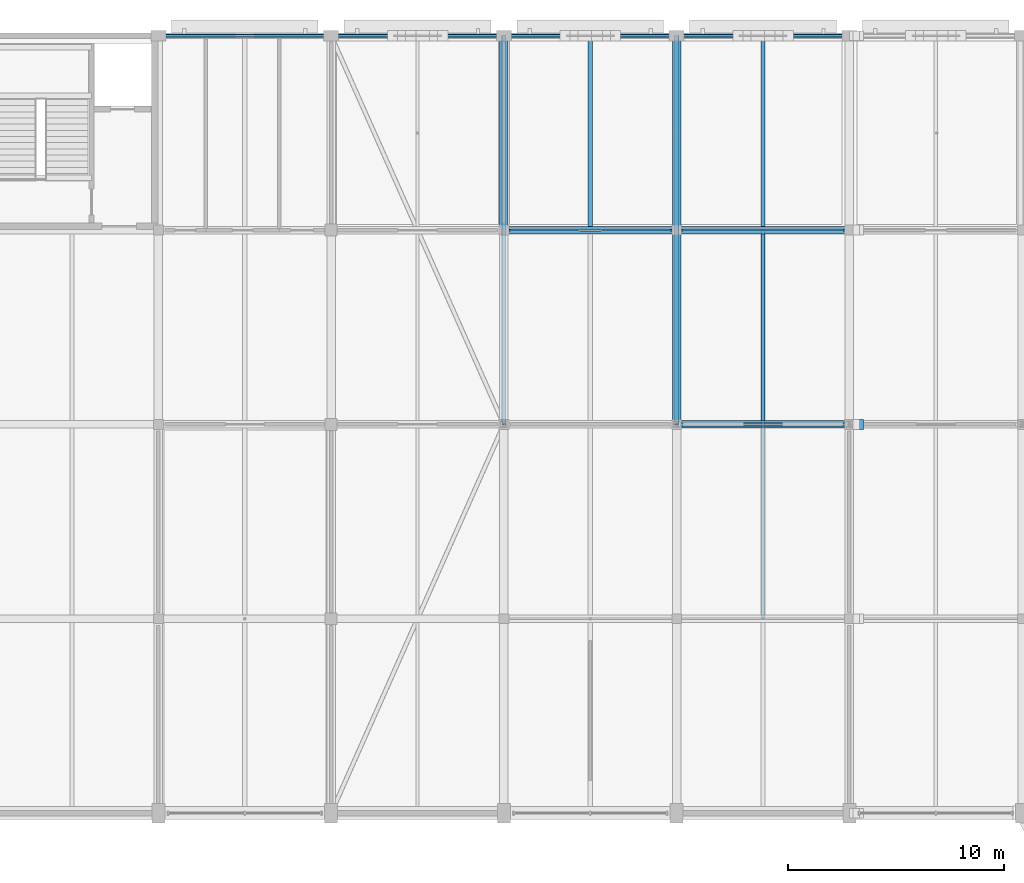
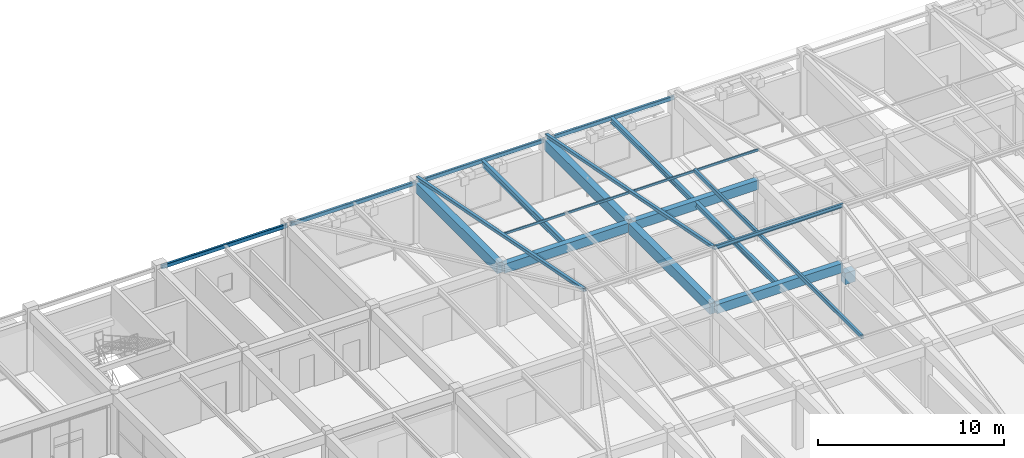
# One storey, part 73 of 126: 15 beams, 5 members.
"""IFC4 building model written with IfcOpenShell, lengths in metres."""

import ifcopenshell
import ifcopenshell.guid

model = None  # the IFC model being written
_history = None  # IfcOwnerHistory: only IFC2X3 demands one
_inside = {}  # id of a spatial element -> (the spatial element, [elements in it])
_under = {}  # id of a project, library or spatial element -> (it, [spatial elements below it])
_declared = {}  # id of a project -> (the project, [libraries it declares])
_typed = {}  # id of a type object -> (the type object, [elements of that type])
_made_of = {}  # id of a material, layer set ... -> (it, [elements and type objects made of it])


def new_model(schema):
    """Start an empty IFC model of exactly this schema.

    Asked for "IFC4X3", IfcOpenShell would pick the latest addendum, in which some entities
    have other attributes; the version numbers below select the first issue.
    IFC2X3 requires an IfcOwnerHistory on every rooted entity: one is made here for all.
    """
    global model, _history
    if schema == "IFC4X3":
        model = ifcopenshell.file(schema_version=(4, 3, 0, 0))
    else:
        model = ifcopenshell.file(schema=schema)
    _inside.clear()
    _under.clear()
    _declared.clear()
    _typed.clear()
    _made_of.clear()
    _history = None
    if model.schema == "IFC2X3":
        org = make("IfcOrganization", Name="unknown")
        user = make(
            "IfcPersonAndOrganization",
            ThePerson=make("IfcPerson", FamilyName="unknown"),
            TheOrganization=org,
        )
        app = make(
            "IfcApplication",
            ApplicationDeveloper=org,
            Version="unknown",
            ApplicationFullName="unknown",
            ApplicationIdentifier="unknown",
        )
        _history = make(
            "IfcOwnerHistory",
            OwningUser=user,
            OwningApplication=app,
            ChangeAction="ADDED",
            CreationDate=0,
        )
    return model


def make(cls, **values):
    """One entity of the class cls with the attributes given. An attribute that is None is left unset."""
    return model.create_entity(
        cls, **{name: value for name, value in values.items() if value is not None}
    )


def rooted(cls, **values):
    """An entity with a GlobalId (a new one), such as an element, a storey or a relation."""
    return make(cls, GlobalId=ifcopenshell.guid.new(), OwnerHistory=_history, **values)


def si_unit(unit_type, name, prefix=None):
    """IfcSIUnit, for example si_unit("LENGTHUNIT", "METRE", prefix="MILLI")."""
    return make("IfcSIUnit", UnitType=unit_type, Prefix=prefix, Name=name)


def assignment(units):
    """IfcUnitAssignment: the units of a project."""
    return None if units is None else make("IfcUnitAssignment", Units=units)


def point(xyz):
    """IfcCartesianPoint."""
    return None if xyz is None else make("IfcCartesianPoint", Coordinates=xyz)


def direction(xyz):
    """IfcDirection."""
    return None if xyz is None else make("IfcDirection", DirectionRatios=xyz)


def frame(location, z_axis=None, x_axis=None):
    """IfcAxis2Placement3D, a coordinate frame: its origin and axes. An axis left out is left unset."""
    return make(
        "IfcAxis2Placement3D",
        Location=point(location),
        Axis=direction(z_axis),
        RefDirection=direction(x_axis),
    )


def frame_2d(location, x_axis=None):
    """IfcAxis2Placement2D, a coordinate frame in the plane: its origin and x axis."""
    return make(
        "IfcAxis2Placement2D", Location=point(location), RefDirection=direction(x_axis)
    )


def origin():
    """The frame at (0, 0, 0) with its axes left unset."""
    return frame((0.0, 0.0, 0.0))


def origin_2d():
    """The frame at (0, 0) in the plane with its x axis left unset."""
    return frame_2d((0.0, 0.0))


def place(relative_to, where):
    """IfcLocalPlacement: puts the frame where relative to a parent placement (None: the world)."""
    return make(
        "IfcLocalPlacement", PlacementRelTo=relative_to, RelativePlacement=where
    )


def context(
    kind, dimensions, precision=None, world=None, true_north=None, identifier=None
):
    """IfcGeometricRepresentationContext, for example the 3D "Model" context."""
    return make(
        "IfcGeometricRepresentationContext",
        ContextIdentifier=identifier,
        ContextType=kind,
        CoordinateSpaceDimension=dimensions,
        Precision=precision,
        WorldCoordinateSystem=world,
        TrueNorth=true_north,
    )


def subcontext(parent, identifier, kind, view, scale=None):
    """IfcGeometricRepresentationSubContext, for example "Body" below "Model"."""
    return make(
        "IfcGeometricRepresentationSubContext",
        ContextIdentifier=identifier,
        ContextType=kind,
        ParentContext=parent,
        TargetScale=scale,
        TargetView=view,
    )


def project(units=None, contexts=None):
    """IfcProject with its units and contexts."""
    return rooted(
        "IfcProject",
        Name="project",
        RepresentationContexts=contexts,
        UnitsInContext=assignment(units),
    )


def spatial(cls, under=None, at=None, **own):
    """A site, building, storey or space (cls), placed at a placement, below another one or the project."""
    s = rooted(cls, ObjectPlacement=at, **own)
    if under is not None:
        _under.setdefault(under.id(), (under, []))[1].append(s)
    return s


def profile(cls, at=None, kind="AREA", **sizes):
    """A parametric profile (cls). Its sizes go by their IFC names, for example OverallWidth=200.0."""
    return make(cls, ProfileType=kind, Position=at, **sizes)


def rectangle(**sizes):
    """IfcRectangleProfileDef."""
    return profile("IfcRectangleProfileDef", **sizes)


def hollow_rectangle(**sizes):
    """IfcRectangleHollowProfileDef."""
    return profile("IfcRectangleHollowProfileDef", **sizes)


def i_section(**sizes):
    """IfcIShapeProfileDef."""
    return profile("IfcIShapeProfileDef", **sizes)


def extrude(swept, where, along, depth):
    """IfcExtrudedAreaSolid: the profile swept, set in the frame where, extruded along a direction by depth."""
    return make(
        "IfcExtrudedAreaSolid",
        SweptArea=swept,
        Position=where,
        ExtrudedDirection=direction(along),
        Depth=depth,
    )


def shape(context_of_items, identifier, shape_type, items):
    """IfcShapeRepresentation: the items that make up one representation, for example the "Body"."""
    return make(
        "IfcShapeRepresentation",
        ContextOfItems=context_of_items,
        RepresentationIdentifier=identifier,
        RepresentationType=shape_type,
        Items=items,
    )


def material(Name=None, Category=None):
    """IfcMaterial."""
    return make("IfcMaterial", Name=Name, Category=Category)


def material_profile(
    of_material, cross_section, Name=None, Category=None, Priority=None
):
    """IfcMaterialProfile: a cross section and its material."""
    return make(
        "IfcMaterialProfile",
        Name=Name,
        Material=of_material,
        Profile=cross_section,
        Priority=Priority,
        Category=Category,
    )


def profile_set(profiles, Name=None, composite=None):
    """IfcMaterialProfileSet."""
    return make(
        "IfcMaterialProfileSet",
        Name=Name,
        MaterialProfiles=profiles,
        CompositeProfile=composite,
    )


def made_of(thing, what):
    """Note that an element or type object is made of a material, layer set ...; save() writes the relation."""
    if what is not None:
        _made_of.setdefault(what.id(), (what, []))[1].append(thing)
    return thing


def type_object(cls, material=None, **own):
    """A type object (cls), such as IfcWallType, which elements share."""
    return made_of(rooted(cls, **own), material)


def element(
    cls,
    number,
    at=None,
    inside=None,
    cuts=None,
    type_object=None,
    material=None,
    context=None,
    identifier="Body",
    shape_type=None,
    held_by="IfcProductDefinitionShape",
    body=None,
    shapes=None,
    **own,
):
    """One element of the class cls, such as IfcWall. Its Tag is "e" and its number.

    at: its placement. inside: the storey or other place that contains it. cuts: it is an
    opening in that element (IfcRelVoidsElement). A single representation is given by context,
    identifier, shape_type and body (its items); several are given by shapes. held_by: the class
    of the entity that holds the representations. save() writes the other relations.
    """
    e = rooted(cls, Tag="e%d" % number, ObjectPlacement=at, **own)
    if body is not None:
        shapes = [shape(context, identifier, shape_type, body)]
    if shapes is not None:
        e.Representation = make(held_by, Representations=shapes)
    if inside is not None:
        _inside.setdefault(inside.id(), (inside, []))[1].append(e)
    if cuts is not None:
        rooted(
            "IfcRelVoidsElement", RelatingBuildingElement=cuts, RelatedOpeningElement=e
        )
    if type_object is not None:
        _typed.setdefault(type_object.id(), (type_object, []))[1].append(e)
    return made_of(e, material)


def aggregate(whole, parts):
    """IfcRelAggregates: a whole, such as a stair, and the parts it consists of."""
    return rooted("IfcRelAggregates", RelatingObject=whole, RelatedObjects=parts)


def save(model, path):
    """Write the relations noted so far, then the file.

    IfcRelAggregates (storeys below a building ...), IfcRelContainedInSpatialStructure (elements
    in a storey), IfcRelDefinesByType, IfcRelAssociatesMaterial and IfcRelDeclares: one each for
    every whole, place, type object, material and project.
    """
    for whole, parts in _under.values():
        aggregate(whole, parts)
    for where, things in _inside.values():
        rooted(
            "IfcRelContainedInSpatialStructure",
            RelatedElements=things,
            RelatingStructure=where,
        )
    for kind, things in _typed.values():
        rooted("IfcRelDefinesByType", RelatedObjects=things, RelatingType=kind)
    for what, things in _made_of.values():
        rooted("IfcRelAssociatesMaterial", RelatedObjects=things, RelatingMaterial=what)
    for by, libraries in _declared.values():
        rooted("IfcRelDeclares", RelatingContext=by, RelatedDefinitions=libraries)
    model.write(path)


model = new_model("IFC4")

# Units and contexts
model_context = context("Model", 3, precision=1e-05, world=origin(), true_north=direction((0.0, 1.0)))
body_context = subcontext(model_context, "Body", "Model", "MODEL_VIEW")
ifc_project = project(units=[si_unit("LENGTHUNIT", "METRE"), si_unit("AREAUNIT", "SQUARE_METRE"), si_unit("VOLUMEUNIT", "CUBIC_METRE"), si_unit("PLANEANGLEUNIT", "RADIAN"), si_unit("MASSUNIT", "GRAM", prefix="KILO")], contexts=[model_context])

# Site, building, storey
site_placement = place(None, origin())
site = spatial("IfcSite", under=ifc_project, at=site_placement, CompositionType="ELEMENT")
building_placement = place(site_placement, origin())
building = spatial("IfcBuilding", under=site, at=building_placement, Name="Varnabhumi Central Station", CompositionType="ELEMENT")
storey_placement = place(building_placement, frame((0.0, 0.0, 16.199951171875)))
storey = spatial("IfcBuildingStorey", under=building, at=storey_placement, Name="L03", CompositionType="ELEMENT", Elevation=16.199951171875)

# Beams
ifc_material_1 = material(Name="Structural steel E350", Category="steel")
ifc_material_profile_1 = material_profile(ifc_material_1, hollow_rectangle(XDim=0.14990234375, YDim=0.25, WallThickness=0.010009765625, InnerFilletRadius=0.010009765625, OuterFilletRadius=0.02001953125, at=origin_2d()), Name="Structural steel E350", Category="steel")
ifc_profile_set_1 = profile_set([ifc_material_profile_1], Name="Structural steel E350")
beam_type_1 = type_object("IfcBeamType", Name="BM-EDGE-RHS250", PredefinedType="SPANDREL", material=ifc_profile_set_1)
for number, where, z_axis, x_axis, name in (
    (1, (88.10009765625, 116.0, 3.824951171875), (1.0, 0.0, 0.0), (0.0, 1.0, 0.0), "Beam L03-P:12-13"),
    (2, (96.10009765625, 116.0, 3.824951171875), (1.0, 0.0, 0.0), (0.0, 1.0, 0.0), "Beam L03-P:13-14"),
    (3, (104.10009765625, 116.0, 3.824951171875), (1.0, 0.0, 0.0), (0.0, 1.0, 0.0), "Beam L03-P:14-15"),
    (4, (112.10009765625, 116.0, 3.824951171875), (1.0, 0.0, 0.0), (0.0, 1.0, 0.0), "Beam L03-P:15-16"),
):
    element("IfcBeam", number, at=place(storey_placement, frame(where, z_axis=z_axis, x_axis=x_axis)), inside=storey, type_object=beam_type_1, Name=name, PredefinedType="SPANDREL", context=body_context, shape_type="SweptSolid", body=[
        extrude(hollow_rectangle(XDim=0.14990234375, YDim=0.25, WallThickness=0.010009765625, InnerFilletRadius=0.010009765625, OuterFilletRadius=0.02001953125, at=origin_2d()), origin(), (0.0, 0.0, 1.0), 7.7998046875),
    ])
ifc_material_profile_2 = material_profile(ifc_material_1, i_section(OverallWidth=0.125, OverallDepth=0.25, WebThickness=0.0068359375, FlangeThickness=0.012451171875, FilletRadius=0.012939453125, at=origin_2d()), Name="Structural steel E350", Category="steel")
ifc_profile_set_2 = profile_set([ifc_material_profile_2], Name="Structural steel E350")
beam_type_2 = type_object("IfcBeamType", Name="BM-PUR-ISMB250", PredefinedType="JOIST", material=ifc_profile_set_2)
beam_1_placement = place(storey_placement, frame((112.0, 98.0, 7.630126953125), z_axis=(1.0, 0.0, 0.0), x_axis=(0.0, 1.0, 0.0)))
element("IfcBeam", 5, at=beam_1_placement, inside=storey, type_object=beam_type_2, Name="Mission Roof Ridge Beam NW4-3", PredefinedType="JOIST", context=body_context, shape_type="SweptSolid", body=[
    extrude(i_section(OverallWidth=0.125, OverallDepth=0.25, WebThickness=0.0068359375, FlangeThickness=0.012451171875, FilletRadius=0.012939453125, at=origin_2d()), origin(), (0.0, 0.0, 1.0), 8.0),
])
ifc_material_2 = material(Name="Concrete M40", Category="concrete")
ifc_material_profile_3 = material_profile(ifc_material_2, rectangle(XDim=0.35009765625, YDim=0.60009765625, at=origin_2d()), Name="Concrete M40", Category="concrete")
ifc_profile_set_3 = profile_set([ifc_material_profile_3], Name="Concrete M40")
beam_type_3 = type_object("IfcBeamType", Name="BM-RC-350x600", PredefinedType="BEAM", material=ifc_profile_set_3)
for number, where, z_axis, x_axis, name in (
    (6, (104.10009765625, 107.0, 3.650146484375), (1.0, 0.0, 0.0), (0.0, 1.0, 0.0), "Beam L03-N:14-15"),
    (7, (112.10009765625, 98.0, 3.650146484375), (1.0, 0.0, 0.0), (0.0, 1.0, 0.0), "Beam L03-M:15-16"),
    (8, (112.10009765625, 107.0, 3.650146484375), (1.0, 0.0, 0.0), (0.0, 1.0, 0.0), "Beam L03-N:15-16"),
):
    element("IfcBeam", number, at=place(storey_placement, frame(where, z_axis=z_axis, x_axis=x_axis)), inside=storey, type_object=beam_type_3, Name=name, PredefinedType="BEAM", context=body_context, shape_type="SweptSolid", body=[
        extrude(rectangle(XDim=0.35009765625, YDim=0.60009765625, at=origin_2d()), origin(), (0.0, 0.0, 1.0), 7.7998046875),
    ])
ifc_material_profile_4 = material_profile(ifc_material_2, rectangle(XDim=0.449951171875, YDim=0.75, at=origin_2d()), Name="Concrete M40", Category="concrete")
ifc_profile_set_4 = profile_set([ifc_material_profile_4], Name="Concrete M40")
beam_type_4 = type_object("IfcBeamType", Name="BM-RC-450x750", PredefinedType="BEAM", material=ifc_profile_set_4)
beam_2_placement = place(storey_placement, frame((120.0, 98.0, 2.89501953125), z_axis=(1.0, 0.0, 0.0), x_axis=(0.0, 1.0, 0.0)))
element("IfcBeam", 9, at=beam_2_placement, inside=storey, type_object=beam_type_4, Name="Movement Joint 650mm Corbel Seat L03-M-16", PredefinedType="BEAM", context=body_context, shape_type="SweptSolid", body=[
    extrude(rectangle(XDim=0.449951171875, YDim=0.75, at=origin_2d()), origin(), (0.0, 0.0, 1.0), 0.64990234375),
])
ifc_material_profile_5 = material_profile(ifc_material_2, rectangle(XDim=0.39990234375, YDim=0.699951171875, at=origin_2d()), Name="Concrete M40", Category="concrete")
ifc_profile_set_5 = profile_set([ifc_material_profile_5], Name="Concrete M40")
beam_type_5 = type_object("IfcBeamType", Name="BM-RC-700x400", PredefinedType="BEAM", material=ifc_profile_set_5)
for number, where, z_axis, x_axis, name in (
    (10, (112.0, 98.10009765625, 3.60009765625), (0.0, 1.0, 0.0), (-1.0, 0.0, 0.0), "Beam L03-15:M-N"),
    (11, (104.0, 107.10009765625, 3.60009765625), (0.0, 1.0, 0.0), (-1.0, 0.0, 0.0), "Beam L03-14:N-P"),
    (12, (112.0, 107.10009765625, 3.60009765625), (0.0, 1.0, 0.0), (-1.0, 0.0, 0.0), "Beam L03-15:N-P"),
):
    element("IfcBeam", number, at=place(storey_placement, frame(where, z_axis=z_axis, x_axis=x_axis)), inside=storey, type_object=beam_type_5, Name=name, PredefinedType="BEAM", context=body_context, shape_type="SweptSolid", body=[
        extrude(rectangle(XDim=0.39990234375, YDim=0.699951171875, at=origin_2d()), origin(), (0.0, 0.0, 1.0), 8.7998046875),
    ])
ifc_material_profile_6 = material_profile(ifc_material_1, i_section(OverallWidth=0.199951171875, OverallDepth=0.39990234375, WebThickness=0.008544921875, FlangeThickness=0.012939453125, FilletRadius=0.012939453125, at=origin_2d()), Name="Structural steel E350", Category="steel")
ifc_profile_set_6 = profile_set([ifc_material_profile_6], Name="Structural steel E350")
beam_type_6 = type_object("IfcBeamType", Name="BM-SEC-ISWB400", PredefinedType="JOIST", material=ifc_profile_set_6)
beam_3_placement = place(storey_placement, frame((108.0, 107.175048828125, 3.75), z_axis=(0.0, 1.0, 0.0), x_axis=(-1.0, 0.0, 0.0)))
element("IfcBeam", 13, at=beam_3_placement, inside=storey, type_object=beam_type_6, Name="Secondary Joist L03-14/15:N-P", PredefinedType="JOIST", context=body_context, shape_type="SweptSolid", body=[
    extrude(i_section(OverallWidth=0.199951171875, OverallDepth=0.39990234375, WebThickness=0.008544921875, FlangeThickness=0.012939453125, FilletRadius=0.012939453125, at=origin_2d()), origin(), (0.0, 0.0, 1.0), 8.75),
])
ifc_material_profile_7 = material_profile(ifc_material_1, i_section(OverallWidth=0.199951171875, OverallDepth=0.35009765625, WebThickness=0.008056640625, FlangeThickness=0.011474609375, FilletRadius=0.011962890625, at=origin_2d()), Name="Structural steel E350", Category="steel")
ifc_profile_set_7 = profile_set([ifc_material_profile_7], Name="Structural steel E350")
beam_type_7 = type_object("IfcBeamType", Name="BM-STL-ISWB350", PredefinedType="JOIST", material=ifc_profile_set_7)
beam_4_placement = place(storey_placement, frame((116.0, 98.175048828125, 3.775146484375), z_axis=(0.0, 1.0, 0.0), x_axis=(-1.0, 0.0, 0.0)))
element("IfcBeam", 14, at=beam_4_placement, inside=storey, type_object=beam_type_7, Name="Secondary Joist L03-15/16:M-N", PredefinedType="JOIST", context=body_context, shape_type="SweptSolid", body=[
    extrude(i_section(OverallWidth=0.199951171875, OverallDepth=0.35009765625, WebThickness=0.008056640625, FlangeThickness=0.011474609375, FilletRadius=0.011962890625, at=origin_2d()), origin(), (0.0, 0.0, 1.0), 8.64990234375),
])
beam_5_placement = place(storey_placement, frame((116.0, 107.175048828125, 3.775146484375), z_axis=(0.0, 1.0, 0.0), x_axis=(-1.0, 0.0, 0.0)))
element("IfcBeam", 15, at=beam_5_placement, inside=storey, type_object=beam_type_7, Name="Secondary Joist L03-15/16:N-P", PredefinedType="JOIST", context=body_context, shape_type="SweptSolid", body=[
    extrude(i_section(OverallWidth=0.199951171875, OverallDepth=0.35009765625, WebThickness=0.008056640625, FlangeThickness=0.011474609375, FilletRadius=0.011962890625, at=origin_2d()), origin(), (0.0, 0.0, 1.0), 8.75),
])

# Members
ifc_material_profile_8 = material_profile(ifc_material_1, hollow_rectangle(XDim=0.14990234375, YDim=0.25, WallThickness=0.010009765625, InnerFilletRadius=0.010009765625, OuterFilletRadius=0.02001953125, at=origin_2d()), Name="Structural steel E350", Category="steel")
ifc_profile_set_8 = profile_set([ifc_material_profile_8], Name="Structural steel E350")
member_type_1 = type_object("IfcMemberType", Name="MBR-COLLAR-RHS", PredefinedType="COLLAR", material=ifc_profile_set_8)
member_placement = place(storey_placement, frame((116.0, 89.0, 5.844970703125), z_axis=(0.0, 1.0, 0.0), x_axis=(-1.0, 0.0, 0.0)))
element("IfcMember", 16, at=member_placement, inside=storey, type_object=member_type_1, Name="Mission Roof Collar Tie NW4-3", PredefinedType="COLLAR", context=body_context, shape_type="SweptSolid", body=[
    extrude(hollow_rectangle(XDim=0.14990234375, YDim=0.25, WallThickness=0.010009765625, InnerFilletRadius=0.010009765625, OuterFilletRadius=0.02001953125, at=origin_2d()), origin(), (0.0, 0.0, 1.0), 18.0),
])
ifc_material_profile_9 = material_profile(ifc_material_1, hollow_rectangle(XDim=0.074951171875, YDim=0.14990234375, WallThickness=0.006103515625, InnerFilletRadius=0.006103515625, OuterFilletRadius=0.011962890625, at=origin_2d()), Name="Structural steel E350", Category="steel")
ifc_profile_set_9 = profile_set([ifc_material_profile_9], Name="Structural steel E350")
member_type_2 = type_object("IfcMemberType", Name="MBR-PURL-RHS150", PredefinedType="PURLIN", material=ifc_profile_set_9)
for number, where, z_axis, x_axis, name in (
    (17, (104.0, 107.0, 5.824951171875), (1.0, 0.0, 0.0), (0.0, 1.0, 0.0), "Mission Roof Purlin NW4-2-N"),
    (18, (112.0, 107.0, 5.824951171875), (1.0, 0.0, 0.0), (0.0, 1.0, 0.0), "Mission Roof Purlin NW4-3-N"),
):
    element("IfcMember", number, at=place(storey_placement, frame(where, z_axis=z_axis, x_axis=x_axis)), inside=storey, type_object=member_type_2, Name=name, PredefinedType="PURLIN", context=body_context, shape_type="SweptSolid", body=[
        extrude(hollow_rectangle(XDim=0.074951171875, YDim=0.14990234375, WallThickness=0.006103515625, InnerFilletRadius=0.006103515625, OuterFilletRadius=0.011962890625, at=origin_2d()), origin(), (0.0, 0.0, 1.0), 8.0),
    ])
ifc_material_profile_10 = material_profile(ifc_material_1, hollow_rectangle(XDim=0.199951171875, YDim=0.199951171875, WallThickness=0.010009765625, InnerFilletRadius=0.010009765625, OuterFilletRadius=0.02001953125, at=origin_2d()), Name="Structural steel E350", Category="steel")
ifc_profile_set_10 = profile_set([ifc_material_profile_10], Name="Structural steel E350")
member_type_3 = type_object("IfcMemberType", Name="MBR-RAFT-SHS200", PredefinedType="RAFTER", material=ifc_profile_set_10)
for number, where, z_axis, x_axis, name in (
    (19, (104.0, 116.0, 4.110107421875), (0.0, -0.981100761594, 0.193497533832), (1.0, 0.0, 0.0), "Mission Roof North Rafter NW4-2"),
    (20, (112.0, 116.0, 4.110107421875), (0.0, -0.981100761594, 0.193497533832), (1.0, 0.0, 0.0), "Mission Roof North Rafter NW4-3"),
):
    element("IfcMember", number, at=place(storey_placement, frame(where, z_axis=z_axis, x_axis=x_axis)), inside=storey, type_object=member_type_3, Name=name, PredefinedType="RAFTER", context=body_context, shape_type="SweptSolid", body=[
        extrude(hollow_rectangle(XDim=0.199951171875, YDim=0.199951171875, WallThickness=0.010009765625, InnerFilletRadius=0.010009765625, OuterFilletRadius=0.02001953125, at=origin_2d()), origin(), (0.0, 0.0, 1.0), 18.3466796875),
    ])

save(model, "model.ifc")
